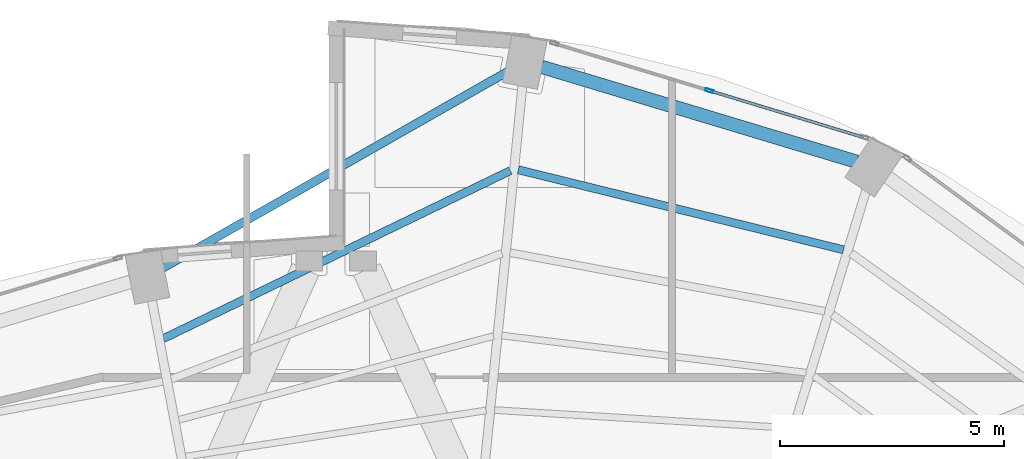
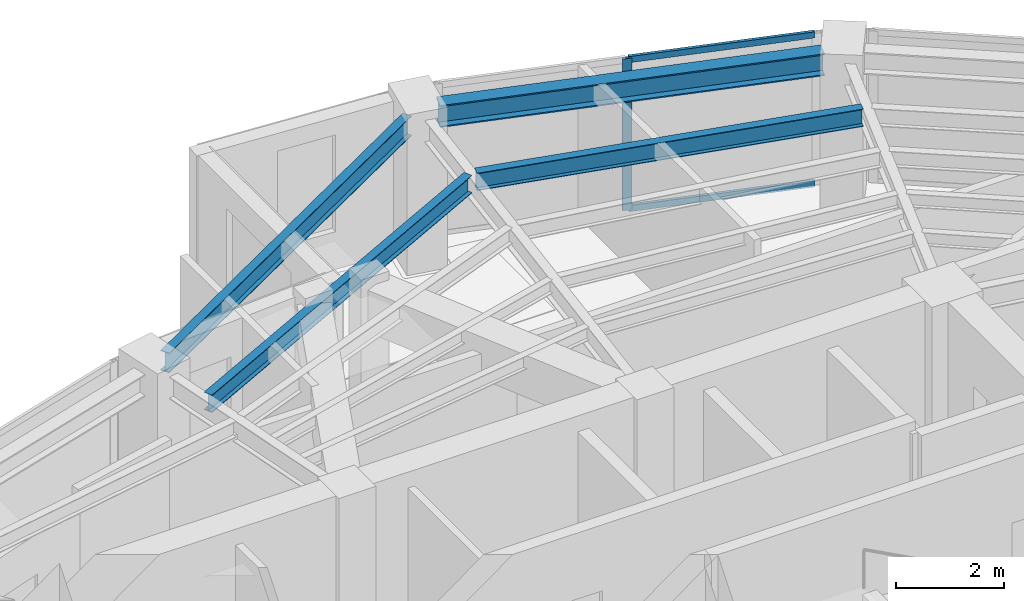
# One storey, part 16 of 23: 4 beams, 3 members, 1 element without a shape of its own.
"""IFC4 building model written with IfcOpenShell, lengths in metres."""

from ifc_helpers import new_model, si_unit, direction, frame, origin, origin_2d, place, context, subcontext, project, spatial, hollow_rectangle, i_section, extrude, material, layer, layer_set, material_profile, profile_set, type_object, element, aggregate, save


model = new_model("IFC4")

# Units and contexts
model_context = context("Model", 3, precision=1e-05, world=origin(), true_north=direction((0.0, 1.0)))
body_context = subcontext(model_context, "Body", "Model", "MODEL_VIEW")
ifc_project = project(units=[si_unit("LENGTHUNIT", "METRE"), si_unit("AREAUNIT", "SQUARE_METRE"), si_unit("VOLUMEUNIT", "CUBIC_METRE"), si_unit("PLANEANGLEUNIT", "RADIAN"), si_unit("MASSUNIT", "GRAM", prefix="KILO")], contexts=[model_context])

# Site, building, storey
site_placement = place(None, origin())
site = spatial("IfcSite", under=ifc_project, at=site_placement, CompositionType="ELEMENT")
building_placement = place(site_placement, origin())
building = spatial("IfcBuilding", under=site, at=building_placement, Name="Lazwardi Medical Tower", CompositionType="ELEMENT")
storey_placement = place(building_placement, frame((0.0, 0.0, 213.072021484375)))
storey = spatial("IfcBuildingStorey", under=building, at=storey_placement, Name="L55", CompositionType="ELEMENT", Elevation=213.072021484375)

# Beams
ifc_material_1 = material(Name="Steel S355", Category="steel")
ifc_material_profile_1 = material_profile(ifc_material_1, i_section(OverallWidth=0.300048828125, OverallDepth=0.5, WebThickness=0.014404296875, FlangeThickness=0.028076171875, at=origin_2d()), Name="HEB 500")
ifc_profile_set_1 = profile_set([ifc_material_profile_1], Name="Steel S355")
beam_type_1 = type_object("IfcBeamType", Name="BM-RB-Z4", PredefinedType="BEAM", material=ifc_profile_set_1)
beam_1_placement = place(storey_placement, frame((47.626953125, 43.56640625, 3.197998046875), z_axis=(-0.957544311906, 0.288286126506, 0.0), x_axis=(-0.288286126506, -0.957544311906, 0.0)))
element("IfcBeam", 1, at=beam_1_placement, inside=storey, type_object=beam_type_1, Name="Ring beam RB-05 B07 L55", PredefinedType="BEAM", context=body_context, shape_type="SweptSolid", body=[
    extrude(i_section(OverallWidth=0.300048828125, OverallDepth=0.5, WebThickness=0.014404296875, FlangeThickness=0.028076171875, at=origin_2d()), origin(), (0.0, 0.0, 1.0), 7.3515625),
])
ifc_material_profile_2 = material_profile(ifc_material_1, i_section(OverallWidth=0.179931640625, OverallDepth=0.39990234375, WebThickness=0.008544921875, FlangeThickness=0.013427734375, at=origin_2d()), Name="IPE 400")
ifc_profile_set_2 = profile_set([ifc_material_profile_2], Name="Steel S355")
beam_type_2 = type_object("IfcBeamType", Name="BM-SJ-01", PredefinedType="JOIST", material=ifc_profile_set_2)
beam_2_placement = place(storey_placement, frame((47.334228515625, 41.59912109375, 3.248046875), z_axis=(-0.971041669317, 0.238910184904, 0.0), x_axis=(-0.238910184904, -0.971041669317, 0.0)))
element("IfcBeam", 2, at=beam_2_placement, inside=storey, type_object=beam_type_2, Name="Secondary joist SJ-01 R1 B07 L55", PredefinedType="JOIST", context=body_context, shape_type="SweptSolid", body=[
    extrude(i_section(OverallWidth=0.179931640625, OverallDepth=0.39990234375, WebThickness=0.008544921875, FlangeThickness=0.013427734375, at=origin_2d()), origin(), (0.0, 0.0, 1.0), 7.482421875),
])
beam_3_placement = place(storey_placement, frame((39.89111328125, 43.367919921875, 3.248046875), z_axis=(-0.900068885459, -0.435747635024, 0.0), x_axis=(0.435747635024, -0.900068885459, 0.0)))
element("IfcBeam", 3, at=beam_3_placement, inside=storey, type_object=beam_type_2, Name="Secondary joist SJ-01 R1 B08 L55", PredefinedType="JOIST", context=body_context, shape_type="SweptSolid", body=[
    extrude(i_section(OverallWidth=0.179931640625, OverallDepth=0.39990234375, WebThickness=0.008544921875, FlangeThickness=0.013427734375, at=origin_2d()), origin(), (0.0, 0.0, 1.0), 8.612548828125),
])
ifc_material_profile_3 = material_profile(ifc_material_1, i_section(OverallWidth=0.18994140625, OverallDepth=0.449951171875, WebThickness=0.009521484375, FlangeThickness=0.0146484375, at=origin_2d()), Name="IPE 450")
ifc_profile_set_3 = profile_set([ifc_material_profile_3], Name="Steel S355")
beam_type_3 = type_object("IfcBeamType", Name="BM-SP-01", PredefinedType="SPANDREL", material=ifc_profile_set_3)
beam_4_placement = place(storey_placement, frame((39.875, 45.605224609375, 3.222900390625), z_axis=(-0.868954808466, -0.494891443494, 0.0), x_axis=(0.494891443494, -0.868954808466, 0.0)))
element("IfcBeam", 4, at=beam_4_placement, inside=storey, type_object=beam_type_3, Name="Spandrel beam SP-01 B08 L55", PredefinedType="SPANDREL", context=body_context, shape_type="SweptSolid", body=[
    extrude(i_section(OverallWidth=0.18994140625, OverallDepth=0.449951171875, WebThickness=0.009521484375, FlangeThickness=0.0146484375, at=origin_2d()), origin(), (0.0, 0.0, 1.0), 8.918701171875),
])

# Curtain wall, members
ifc_material_2 = material(Name="Anodised bronze aluminium and solar control glazing", Category="aluminium")
ifc_layer = layer(ifc_material_2, 0.18994140625)
ifc_layer_set = layer_set([ifc_layer], Name="Anodised bronze aluminium and solar control glazing")
curtain_wall_type = type_object("IfcCurtainWallType", Name="CW-SYS-04", PredefinedType="NOTDEFINED", material=ifc_layer_set)
curtain_wall_placement = place(storey_placement, origin())
curtain_wall = element("IfcCurtainWall", 5, at=curtain_wall_placement, inside=storey, type_object=curtain_wall_type, Name="L55 Unitised bronze curtain wall CW-04", PredefinedType="NOTDEFINED")
ifc_material_3 = material(Name="Anodised bronze aluminium", Category="aluminium")
ifc_material_profile_4 = material_profile(ifc_material_3, hollow_rectangle(XDim=0.06494140625, YDim=0.179931640625, WallThickness=0.00390625, at=origin_2d()), Name="ALU-MULLION 180x65x4")
ifc_profile_set_4 = profile_set([ifc_material_profile_4], Name="Anodised bronze aluminium")
member_type_1 = type_object("IfcMemberType", Name="CW-MUL-03", PredefinedType="MULLION", material=ifc_profile_set_4)
member_1_placement = place(storey_placement, frame((44.33642578125, 45.1552734375, 0.0), z_axis=(0.0, 0.0, 1.0), x_axis=(-0.290581889515, -0.956850126972, 0.0)))
member_1 = element("IfcMember", 6, at=member_1_placement, type_object=member_type_1, Name="CW-04 mullion 2", PredefinedType="MULLION", context=body_context, shape_type="SweptSolid", body=[
    extrude(hollow_rectangle(XDim=0.06494140625, YDim=0.179931640625, WallThickness=0.00390625, at=origin_2d()), origin(), (0.0, 0.0, 1.0), 3.447998046875),
])
ifc_material_profile_5 = material_profile(ifc_material_3, hollow_rectangle(XDim=0.06494140625, YDim=0.139892578125, WallThickness=0.00341796875, at=origin_2d()), Name="ALU-TRANSOM 140x65x3.5")
ifc_profile_set_5 = profile_set([ifc_material_profile_5], Name="Anodised bronze aluminium")
member_type_2 = type_object("IfcMemberType", Name="CW-TRN-03", PredefinedType="USERDEFINED", material=ifc_profile_set_5)
member_2_placement = place(storey_placement, frame((47.7685546875, 44.113037109375, 0.032470703125), z_axis=(-0.956862505902, 0.290541124109, 0.0), x_axis=(-0.290541124109, -0.956862505902, 0.0)))
member_2 = element("IfcMember", 7, at=member_2_placement, type_object=member_type_2, Name="CW-04 transom 1.1", ObjectType="TRANSOM", PredefinedType="USERDEFINED", context=body_context, shape_type="SweptSolid", body=[
    extrude(hollow_rectangle(XDim=0.06494140625, YDim=0.139892578125, WallThickness=0.00341796875, at=origin_2d()), origin(), (0.0, 0.0, 1.0), 3.554443359375),
])
member_3_placement = place(storey_placement, frame((47.7685546875, 44.113037109375, 3.41552734375), z_axis=(-0.956862505902, 0.290541124109, 0.0), x_axis=(-0.290541124109, -0.956862505902, 0.0)))
member_3 = element("IfcMember", 8, at=member_3_placement, type_object=member_type_2, Name="CW-04 transom 1.2", ObjectType="TRANSOM", PredefinedType="USERDEFINED", context=body_context, shape_type="SweptSolid", body=[
    extrude(hollow_rectangle(XDim=0.06494140625, YDim=0.139892578125, WallThickness=0.00341796875, at=origin_2d()), origin(), (0.0, 0.0, 1.0), 3.554443359375),
])
aggregate(curtain_wall, [member_1, member_2, member_3])

save(model, "model.ifc")
